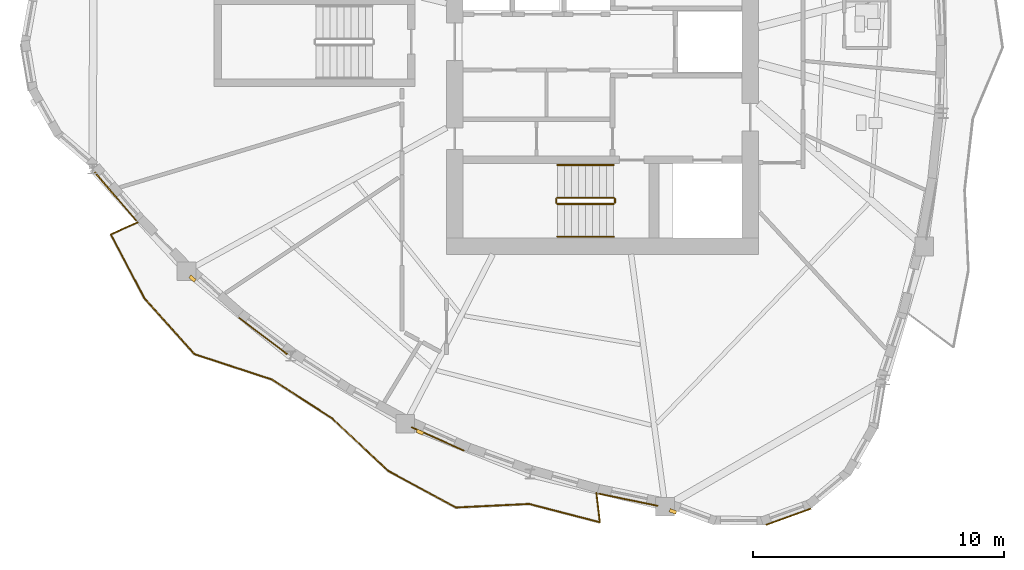
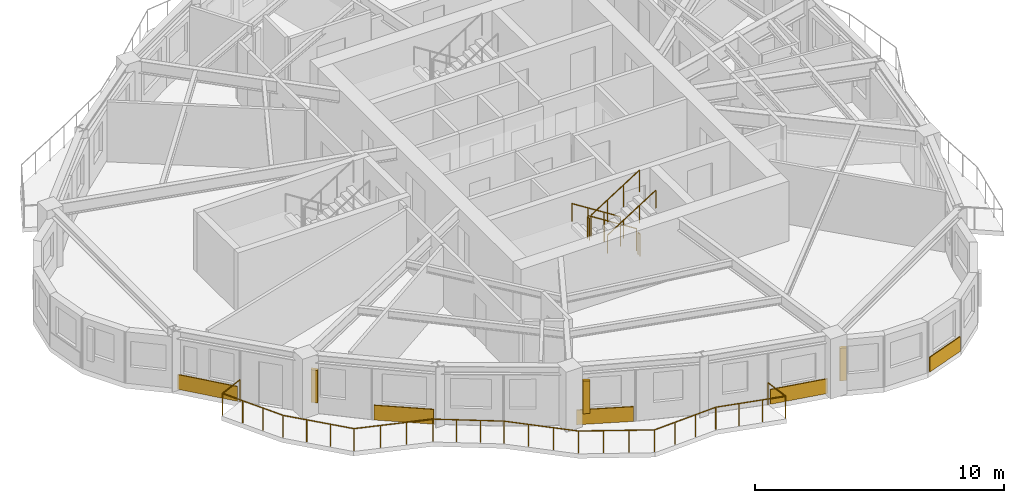
# One storey, part 9 of 12: 7 railings, 5 coverings, 3 shading devices.
"""IFC4 building model written with IfcOpenShell, lengths in metres."""

from ifc_helpers import new_model, si_unit, direction, frame, origin, origin_2d, place, context, subcontext, project, spatial, rectangle, circle, extrude, source, transform, mapped, material, layer, layer_set, type_object, element, save


model = new_model("IFC4")

# Units and contexts
model_context = context("Model", 3, precision=1e-05, world=origin(), true_north=direction((0.0, 1.0)))
body_context = subcontext(model_context, "Body", "Model", "MODEL_VIEW")
ifc_project = project(units=[si_unit("LENGTHUNIT", "METRE"), si_unit("AREAUNIT", "SQUARE_METRE"), si_unit("VOLUMEUNIT", "CUBIC_METRE"), si_unit("PLANEANGLEUNIT", "RADIAN"), si_unit("MASSUNIT", "GRAM", prefix="KILO")], contexts=[model_context])

# Site, building, storey
site_placement = place(None, origin())
site = spatial("IfcSite", under=ifc_project, at=site_placement, CompositionType="ELEMENT")
building_placement = place(site_placement, origin())
building = spatial("IfcBuilding", under=site, at=building_placement, Name="Qafzar Sky-Pleat Residences", CompositionType="ELEMENT")
storey_placement = place(building_placement, frame((0.0, 0.0, 149.0)))
storey = spatial("IfcBuildingStorey", under=building, at=storey_placement, Name="L44", CompositionType="ELEMENT", Elevation=149.0)

# Shading devices
ifc_material_1 = material(Name="Honed Riyadh limestone solar fin", Category="masonry")
ifc_layer_1 = layer(ifc_material_1, 0.139892578125)
ifc_layer_set_1 = layer_set([ifc_layer_1], Name="Honed Riyadh limestone solar fin")
shading_device_type = type_object("IfcShadingDeviceType", Name="SHD-FIN-STONE", PredefinedType="SHUTTER", material=ifc_layer_set_1)
shared_shape_1 = source(origin(), body_context, "Body", "SweptSolid", [
    extrude(rectangle(XDim=0.139892578125, YDim=0.280029296875, at=origin_2d()), origin(), (0.0, 0.0, 1.0), 1.60009765625),
])
for number, where, z_axis, x_axis, name in (
    (1, (14.044189453125, 16.58251953125, 0.599853515625), (0.0, 0.0, 1.0), (-0.660154622543, -0.751129732027, 0.0), "L44 Limestone Solar Fin 9"),
    (2, (23.09228515625, 10.475341796875, 0.599853515625), (0.0, 0.0, 1.0), (-0.407514902881, -0.913198556684, 0.0), "L44 Limestone Solar Fin 13"),
    (3, (33.1533203125, 7.322021484375, 0.599853515625), (0.0, 0.0, 1.0), (-0.349548623526, -0.936918224709, 0.0), "L44 Limestone Solar Fin 17"),
):
    element("IfcShadingDevice", number, at=place(storey_placement, frame(where, z_axis=z_axis, x_axis=x_axis)), inside=storey, type_object=shading_device_type, Name=name, PredefinedType="SHUTTER", context=body_context, shape_type="MappedRepresentation", body=[
        mapped(shared_shape_1, transform((0.0, 0.0, 0.0), x_axis=(1.0, 0.0, 0.0), y_axis=(0.0, 1.0, 0.0), z_axis=(0.0, 0.0, 1.0), scale=1.0)),
    ])

# Covering
ifc_material_2 = material(Name="Honed Riyadh Tuwaiq limestone cladding", Category="masonry")
ifc_layer_2 = layer(ifc_material_2, 0.044921875)
ifc_layer_set_2 = layer_set([ifc_layer_2], Name="Honed Riyadh Tuwaiq limestone cladding")
covering_type = type_object("IfcCoveringType", Name="COV-CLAD-STONE", PredefinedType="CLADDING", material=ifc_layer_set_2)
shared_shape_2 = source(origin(), body_context, "Body", "SweptSolid", [
    extrude(rectangle(XDim=1.897705078125, YDim=0.044921875, at=origin_2d()), origin(), (0.0, 0.0, 1.0), 0.719970703125),
])
covering_1_placement = place(storey_placement, frame((37.74560546875, 7.111328125, 0.02001953125), z_axis=(0.0, 0.0, 1.0), x_axis=(0.940241244016, 0.340509035199, 0.0)))
element("IfcCovering", 4, at=covering_1_placement, inside=storey, type_object=covering_type, Name="L44 Riyadh Limestone Spandrel Cladding 19", PredefinedType="CLADDING", context=body_context, shape_type="MappedRepresentation", body=[
    mapped(shared_shape_2, transform((0.0, 0.0, 0.0), x_axis=(1.0, 0.0, 0.0), y_axis=(0.0, 1.0, 0.0), z_axis=(0.0, 0.0, 1.0), scale=1.0)),
])

# Railing
ifc_material_3 = material(Name="Laminated glass and bronze steel balustrade", Category="steel")
railing_type_1 = type_object("IfcRailingType", Name="RAIL-BAL-1100", PredefinedType="BALUSTRADE", material=ifc_material_3)
shared_shape_3 = source(origin(), body_context, "Body", "SweptSolid", [
    extrude(circle(Radius=0.02392578125, at=origin_2d()), frame((0.0, 0.0, 1.076171875), z_axis=(-0.913554917383, -0.406715395486, 0.0), x_axis=(0.406715395486, -0.913554917383, 0.0)), (0.0, 0.0, 1.0), 1.177734375),
    extrude(circle(Radius=0.02392578125, at=origin_2d()), frame((-1.075927734375, -0.47900390625, 1.076171875), z_axis=(0.464378787341, -0.885636687286, 0.0), x_axis=(0.885636687286, 0.464378787341, 0.0)), (0.0, 0.0, 1.0), 2.87060546875),
    extrude(circle(Radius=0.02392578125, at=origin_2d()), frame((0.257080078125, -3.021240234375, 1.076171875), z_axis=(0.667835474356, -0.744308927255, 0.0), x_axis=(0.744308927255, 0.667835474356, 0.0)), (0.0, 0.0, 1.0), 2.98828125),
    extrude(circle(Radius=0.02392578125, at=origin_2d()), frame((2.252685546875, -5.245361328125, 1.076171875), z_axis=(0.950320557295, -0.311272932301, 0.0), x_axis=(0.311272932301, 0.950320557295, 0.0)), (0.0, 0.0, 1.0), 3.239990234375),
    extrude(circle(Radius=0.02392578125, at=origin_2d()), frame((5.331787109375, -6.25390625, 1.076171875), z_axis=(0.840382441824, -0.541993866639, 0.0), x_axis=(0.541993866639, 0.840382441824, 0.0)), (0.0, 0.0, 1.0), 2.84326171875),
    extrude(circle(Radius=0.02392578125, at=origin_2d()), frame((7.72119140625, -7.794921875, 1.076171875), z_axis=(0.730091672897, -0.683349214652, 0.0), x_axis=(0.683349214652, 0.730091672897, 0.0)), (0.0, 0.0, 1.0), 3.060791015625),
    extrude(circle(Radius=0.02392578125, at=origin_2d()), frame((9.955810546875, -9.886474609375, 1.076171875), z_axis=(0.879017095741, -0.476790253041, 0.0), x_axis=(0.476790253041, 0.879017095741, 0.0)), (0.0, 0.0, 1.0), 3.054931640625),
    extrude(circle(Radius=0.02392578125, at=origin_2d()), frame((12.64111328125, -11.343017578125, 1.076171875), z_axis=(0.998812648655, 0.048716453959, 0.0), x_axis=(-0.048716453959, 0.998812648655, 0.0)), (0.0, 0.0, 1.0), 2.921630859375),
    extrude(circle(Radius=0.02392578125, at=origin_2d()), frame((15.559326171875, -11.20068359375, 1.076171875), z_axis=(0.967804487232, -0.251703147565, 0.0), x_axis=(0.251703147565, 0.967804487232, 0.0)), (0.0, 0.0, 1.0), 2.904052734375),
    extrude(circle(Radius=0.02392578125, at=origin_2d()), frame((18.369873046875, -11.931640625, 1.076171875), z_axis=(-0.1166849202, 0.993168983304, 0.0), x_axis=(-0.993168983304, -0.1166849202, 0.0)), (0.0, 0.0, 1.0), 1.177978515625),
    extrude(circle(Radius=0.02099609375, at=origin_2d()), origin(), (0.0, 0.0, 1.0), 1.052001953125),
    extrude(circle(Radius=0.02099609375, at=origin_2d()), frame((-1.075927734375, -0.47900390625, 0.0)), (0.0, 0.0, 1.0), 1.052001953125),
    extrude(circle(Radius=0.02099609375, at=origin_2d()), frame((-0.631591796875, -1.326416015625, 0.0)), (0.0, 0.0, 1.0), 1.052001953125),
    extrude(circle(Radius=0.02099609375, at=origin_2d()), frame((-0.187255859375, -2.173828125, 0.0)), (0.0, 0.0, 1.0), 1.052001953125),
    extrude(circle(Radius=0.02099609375, at=origin_2d()), frame((0.257080078125, -3.021240234375, 0.0)), (0.0, 0.0, 1.0), 1.052001953125),
    extrude(circle(Radius=0.02099609375, at=origin_2d()), frame((0.92236328125, -3.7626953125, 0.0)), (0.0, 0.0, 1.0), 1.052001953125),
    extrude(circle(Radius=0.02099609375, at=origin_2d()), frame((1.58740234375, -4.50390625, 0.0)), (0.0, 0.0, 1.0), 1.052001953125),
    extrude(circle(Radius=0.02099609375, at=origin_2d()), frame((2.252685546875, -5.245361328125, 0.0)), (0.0, 0.0, 1.0), 1.052001953125),
    extrude(circle(Radius=0.02099609375, at=origin_2d()), frame((3.279052734375, -5.58154296875, 0.0)), (0.0, 0.0, 1.0), 1.052001953125),
    extrude(circle(Radius=0.02099609375, at=origin_2d()), frame((4.305419921875, -5.917724609375, 0.0)), (0.0, 0.0, 1.0), 1.052001953125),
    extrude(circle(Radius=0.02099609375, at=origin_2d()), frame((5.331787109375, -6.25390625, 0.0)), (0.0, 0.0, 1.0), 1.052001953125),
    extrude(circle(Radius=0.02099609375, at=origin_2d()), frame((6.128173828125, -6.767578125, 0.0)), (0.0, 0.0, 1.0), 1.052001953125),
    extrude(circle(Radius=0.02099609375, at=origin_2d()), frame((6.9248046875, -7.28125, 0.0)), (0.0, 0.0, 1.0), 1.052001953125),
    extrude(circle(Radius=0.02099609375, at=origin_2d()), frame((7.72119140625, -7.794921875, 0.0)), (0.0, 0.0, 1.0), 1.052001953125),
    extrude(circle(Radius=0.02099609375, at=origin_2d()), frame((8.466064453125, -8.4921875, 0.0)), (0.0, 0.0, 1.0), 1.052001953125),
    extrude(circle(Radius=0.02099609375, at=origin_2d()), frame((9.2109375, -9.189208984375, 0.0)), (0.0, 0.0, 1.0), 1.052001953125),
    extrude(circle(Radius=0.02099609375, at=origin_2d()), frame((9.955810546875, -9.886474609375, 0.0)), (0.0, 0.0, 1.0), 1.052001953125),
    extrude(circle(Radius=0.02099609375, at=origin_2d()), frame((10.850830078125, -10.3720703125, 0.0)), (0.0, 0.0, 1.0), 1.052001953125),
    extrude(circle(Radius=0.02099609375, at=origin_2d()), frame((11.74609375, -10.857421875, 0.0)), (0.0, 0.0, 1.0), 1.052001953125),
    extrude(circle(Radius=0.02099609375, at=origin_2d()), frame((12.64111328125, -11.343017578125, 0.0)), (0.0, 0.0, 1.0), 1.052001953125),
    extrude(circle(Radius=0.02099609375, at=origin_2d()), frame((13.61376953125, -11.295654296875, 0.0)), (0.0, 0.0, 1.0), 1.052001953125),
    extrude(circle(Radius=0.02099609375, at=origin_2d()), frame((14.586669921875, -11.248046875, 0.0)), (0.0, 0.0, 1.0), 1.052001953125),
    extrude(circle(Radius=0.02099609375, at=origin_2d()), frame((15.559326171875, -11.20068359375, 0.0)), (0.0, 0.0, 1.0), 1.052001953125),
    extrude(circle(Radius=0.02099609375, at=origin_2d()), frame((16.49609375, -11.4443359375, 0.0)), (0.0, 0.0, 1.0), 1.052001953125),
    extrude(circle(Radius=0.02099609375, at=origin_2d()), frame((17.43310546875, -11.68798828125, 0.0)), (0.0, 0.0, 1.0), 1.052001953125),
    extrude(circle(Radius=0.02099609375, at=origin_2d()), frame((18.369873046875, -11.931640625, 0.0)), (0.0, 0.0, 1.0), 1.052001953125),
    extrude(circle(Radius=0.02099609375, at=origin_2d()), frame((18.232421875, -10.76171875, 0.0)), (0.0, 0.0, 1.0), 1.052001953125),
])
railing_1_placement = place(storey_placement, frame((11.877197265625, 18.821533203125, 0.0)))
element("IfcRailing", 5, at=railing_1_placement, inside=storey, type_object=railing_type_1, Name="L44 Pleated Balcony 3 Balustrade", PredefinedType="BALUSTRADE", context=body_context, shape_type="MappedRepresentation", body=[
    mapped(shared_shape_3, transform((0.0, 0.0, 0.0), x_axis=(1.0, 0.0, 0.0), y_axis=(0.0, 1.0, 0.0), z_axis=(0.0, 0.0, 1.0), scale=1.0)),
])

# Coverings
shared_shape_4 = source(origin(), body_context, "Body", "SweptSolid", [
    extrude(rectangle(XDim=2.53173828125, YDim=0.044921875, at=origin_2d()), origin(), (0.0, 0.0, 1.0), 0.719970703125),
])
covering_2_placement = place(storey_placement, frame((10.981689453125, 19.851806640625, 0.02001953125), z_axis=(0.0, 0.0, 1.0), x_axis=(0.650337506648, -0.759645395857, 0.0)))
element("IfcCovering", 6, at=covering_2_placement, inside=storey, type_object=covering_type, Name="L44 Riyadh Limestone Spandrel Cladding 7", PredefinedType="CLADDING", context=body_context, shape_type="MappedRepresentation", body=[
    mapped(shared_shape_4, transform((0.0, 0.0, 0.0), x_axis=(1.0, 0.0, 0.0), y_axis=(0.0, 1.0, 0.0), z_axis=(0.0, 0.0, 1.0), scale=1.0)),
])
shared_shape_5 = source(origin(), body_context, "Body", "SweptSolid", [
    extrude(rectangle(XDim=2.411865234375, YDim=0.044921875, at=origin_2d()), origin(), (0.0, 0.0, 1.0), 0.719970703125),
])
covering_3_placement = place(storey_placement, frame((16.85595703125, 14.297119140625, 0.02001953125), z_axis=(0.0, 0.0, 1.0), x_axis=(0.798034410528, -0.602611881408, 0.0)))
element("IfcCovering", 7, at=covering_3_placement, inside=storey, type_object=covering_type, Name="L44 Riyadh Limestone Spandrel Cladding 10", PredefinedType="CLADDING", context=body_context, shape_type="MappedRepresentation", body=[
    mapped(shared_shape_5, transform((0.0, 0.0, 0.0), x_axis=(1.0, 0.0, 0.0), y_axis=(0.0, 1.0, 0.0), z_axis=(0.0, 0.0, 1.0), scale=1.0)),
])
shared_shape_6 = source(origin(), body_context, "Body", "SweptSolid", [
    extrude(rectangle(XDim=2.290283203125, YDim=0.044921875, at=origin_2d()), origin(), (0.0, 0.0, 1.0), 0.719970703125),
])
covering_4_placement = place(storey_placement, frame((23.803955078125, 10.204833984375, 0.02001953125), z_axis=(0.0, 0.0, 1.0), x_axis=(0.913204478407, -0.407501632655, 0.0)))
element("IfcCovering", 8, at=covering_4_placement, inside=storey, type_object=covering_type, Name="L44 Riyadh Limestone Spandrel Cladding 13", PredefinedType="CLADDING", context=body_context, shape_type="MappedRepresentation", body=[
    mapped(shared_shape_6, transform((0.0, 0.0, 0.0), x_axis=(1.0, 0.0, 0.0), y_axis=(0.0, 1.0, 0.0), z_axis=(0.0, 0.0, 1.0), scale=1.0)),
])
shared_shape_7 = source(origin(), body_context, "Body", "SweptSolid", [
    extrude(rectangle(XDim=2.410400390625, YDim=0.044921875, at=origin_2d()), origin(), (0.0, 0.0, 1.0), 0.719970703125),
])
covering_5_placement = place(storey_placement, frame((31.377685546875, 7.786865234375, 0.02001953125), z_axis=(0.0, 0.0, 1.0), x_axis=(0.979314287188, -0.202345068902, 0.0)))
element("IfcCovering", 9, at=covering_5_placement, inside=storey, type_object=covering_type, Name="L44 Riyadh Limestone Spandrel Cladding 16", PredefinedType="CLADDING", context=body_context, shape_type="MappedRepresentation", body=[
    mapped(shared_shape_7, transform((0.0, 0.0, 0.0), x_axis=(1.0, 0.0, 0.0), y_axis=(0.0, 1.0, 0.0), z_axis=(0.0, 0.0, 1.0), scale=1.0)),
])

# Railings
ifc_material_4 = material(Name="Painted Steel S355 stair guardrail", Category="steel")
railing_type_2 = type_object("IfcRailingType", Name="RAIL-STAIR-GUARD", PredefinedType="GUARDRAIL", material=ifc_material_4)
shared_shape_8 = source(origin(), body_context, "Body", "SweptSolid", [
    extrude(circle(Radius=0.02392578125, at=origin_2d()), frame((0.0, 0.0, 1.076171875), z_axis=(0.0, -1.0, 0.0), x_axis=(1.0, 0.0, 0.0)), (0.0, 0.0, 1.0), 0.14990234375),
    extrude(circle(Radius=0.02099609375, at=origin_2d()), origin(), (0.0, 0.0, 1.0), 1.052001953125),
    extrude(circle(Radius=0.02099609375, at=origin_2d()), frame((0.0, -0.14990234375, 0.0)), (0.0, 0.0, 1.0), 1.052001953125),
])
for number, where, name in (
    (10, (28.510009765625, 19.75, 1.60009765625), "L44 ST1 stair guard 2"),
    (11, (30.85009765625, 19.75, 0.0), "L44 ST1 stair guard 4"),
):
    element("IfcRailing", number, at=place(storey_placement, frame(where)), inside=storey, type_object=railing_type_2, Name=name, PredefinedType="GUARDRAIL", context=body_context, shape_type="MappedRepresentation", body=[
        mapped(shared_shape_8, transform((0.0, 0.0, 0.0), x_axis=(1.0, 0.0, 0.0), y_axis=(0.0, 1.0, 0.0), z_axis=(0.0, 0.0, 1.0), scale=1.0)),
    ])
shared_shape_9 = source(origin(), body_context, "Body", "SweptSolid", [
    extrude(circle(Radius=0.02392578125, at=origin_2d()), frame((0.0, 0.0, 1.076171875), z_axis=(0.8442293374, 0.0, 0.53598211339), x_axis=(0.0, 1.0, 0.0)), (0.0, 0.0, 1.0), 2.6533203125),
    extrude(circle(Radius=0.02099609375, at=origin_2d()), origin(), (0.0, 0.0, 1.0), 1.052001953125),
    extrude(circle(Radius=0.02099609375, at=origin_2d()), frame((0.74658203125, 0.0, 0.47412109375)), (0.0, 0.0, 1.0), 1.052001953125),
    extrude(circle(Radius=0.02099609375, at=origin_2d()), frame((1.493408203125, 0.0, 0.947998046875)), (0.0, 0.0, 1.0), 1.052001953125),
    extrude(circle(Radius=0.02099609375, at=origin_2d()), frame((2.239990234375, 0.0, 1.422119140625)), (0.0, 0.0, 1.0), 1.052001953125),
])
railing_2_placement = place(storey_placement, frame((28.56005859375, 19.550048828125, 1.77783203125)))
element("IfcRailing", 12, at=railing_2_placement, inside=storey, type_object=railing_type_2, Name="L44 ST1 stair guard 3", PredefinedType="GUARDRAIL", context=body_context, shape_type="MappedRepresentation", body=[
    mapped(shared_shape_9, transform((0.0, 0.0, 0.0), x_axis=(1.0, 0.0, 0.0), y_axis=(0.0, 1.0, 0.0), z_axis=(0.0, 0.0, 1.0), scale=1.0)),
])
ifc_material_5 = material(Name="Brushed stainless steel handrail", Category="steel")
railing_type_3 = type_object("IfcRailingType", Name="RAIL-STAIR-HAND", PredefinedType="HANDRAIL", material=ifc_material_5)
shared_shape_10 = source(origin(), body_context, "Body", "SweptSolid", [
    extrude(circle(Radius=0.02392578125, at=origin_2d()), frame((0.0, 0.0, 0.8759765625), z_axis=(0.8442293374, 0.0, 0.53598211339), x_axis=(0.0, 1.0, 0.0)), (0.0, 0.0, 1.0), 2.6533203125),
    extrude(circle(Radius=0.02099609375, at=origin_2d()), origin(), (0.0, 0.0, 1.0), 0.851806640625),
    extrude(circle(Radius=0.02099609375, at=origin_2d()), frame((0.74658203125, 0.0, 0.47412109375)), (0.0, 0.0, 1.0), 0.851806640625),
    extrude(circle(Radius=0.02099609375, at=origin_2d()), frame((1.493408203125, 0.0, 0.947998046875)), (0.0, 0.0, 1.0), 0.851806640625),
    extrude(circle(Radius=0.02099609375, at=origin_2d()), frame((2.239990234375, 0.0, 1.422119140625)), (0.0, 0.0, 1.0), 0.851806640625),
])
railing_3_placement = place(storey_placement, frame((28.56005859375, 18.25, 1.77783203125)))
element("IfcRailing", 13, at=railing_3_placement, inside=storey, type_object=railing_type_3, Name="L44 ST1 stair handrail 2", PredefinedType="HANDRAIL", context=body_context, shape_type="MappedRepresentation", body=[
    mapped(shared_shape_10, transform((0.0, 0.0, 0.0), x_axis=(1.0, 0.0, 0.0), y_axis=(0.0, 1.0, 0.0), z_axis=(0.0, 0.0, 1.0), scale=1.0)),
])
shared_shape_11 = source(origin(), body_context, "Body", "SweptSolid", [
    extrude(circle(Radius=0.02392578125, at=origin_2d()), frame((0.0, 0.0, 1.076171875), z_axis=(-0.84418770128, 0.0, 0.536047689118), x_axis=(0.0, -1.0, 0.0)), (0.0, 0.0, 1.0), 2.6533203125),
    extrude(circle(Radius=0.02099609375, at=origin_2d()), origin(), (0.0, 0.0, 1.0), 1.052001953125),
    extrude(circle(Radius=0.02099609375, at=origin_2d()), frame((-0.74658203125, 0.0, 0.47412109375)), (0.0, 0.0, 1.0), 1.052001953125),
    extrude(circle(Radius=0.02099609375, at=origin_2d()), frame((-1.493408203125, 0.0, 0.9482421875)), (0.0, 0.0, 1.0), 1.052001953125),
    extrude(circle(Radius=0.02099609375, at=origin_2d()), frame((-2.239990234375, 0.0, 1.42236328125)), (0.0, 0.0, 1.0), 1.052001953125),
])
railing_4_placement = place(storey_placement, frame((30.800048828125, 19.800048828125, 0.177734375)))
element("IfcRailing", 14, at=railing_4_placement, inside=storey, type_object=railing_type_2, Name="L44 ST1 stair guard 1", PredefinedType="GUARDRAIL", context=body_context, shape_type="MappedRepresentation", body=[
    mapped(shared_shape_11, transform((0.0, 0.0, 0.0), x_axis=(1.0, 0.0, 0.0), y_axis=(0.0, 1.0, 0.0), z_axis=(0.0, 0.0, 1.0), scale=1.0)),
])
shared_shape_12 = source(origin(), body_context, "Body", "SweptSolid", [
    extrude(circle(Radius=0.02392578125, at=origin_2d()), frame((0.0, 0.0, 0.8759765625), z_axis=(-0.84418770128, 0.0, 0.536047689118), x_axis=(0.0, -1.0, 0.0)), (0.0, 0.0, 1.0), 2.6533203125),
    extrude(circle(Radius=0.02099609375, at=origin_2d()), origin(), (0.0, 0.0, 1.0), 0.851806640625),
    extrude(circle(Radius=0.02099609375, at=origin_2d()), frame((-0.74658203125, 0.0, 0.47412109375)), (0.0, 0.0, 1.0), 0.851806640625),
    extrude(circle(Radius=0.02099609375, at=origin_2d()), frame((-1.493408203125, 0.0, 0.9482421875)), (0.0, 0.0, 1.0), 0.851806640625),
    extrude(circle(Radius=0.02099609375, at=origin_2d()), frame((-2.239990234375, 0.0, 1.42236328125)), (0.0, 0.0, 1.0), 0.851806640625),
])
railing_5_placement = place(storey_placement, frame((30.800048828125, 21.10009765625, 0.177734375)))
element("IfcRailing", 15, at=railing_5_placement, inside=storey, type_object=railing_type_3, Name="L44 ST1 stair handrail 1", PredefinedType="HANDRAIL", context=body_context, shape_type="MappedRepresentation", body=[
    mapped(shared_shape_12, transform((0.0, 0.0, 0.0), x_axis=(1.0, 0.0, 0.0), y_axis=(0.0, 1.0, 0.0), z_axis=(0.0, 0.0, 1.0), scale=1.0)),
])

save(model, "model.ifc")
